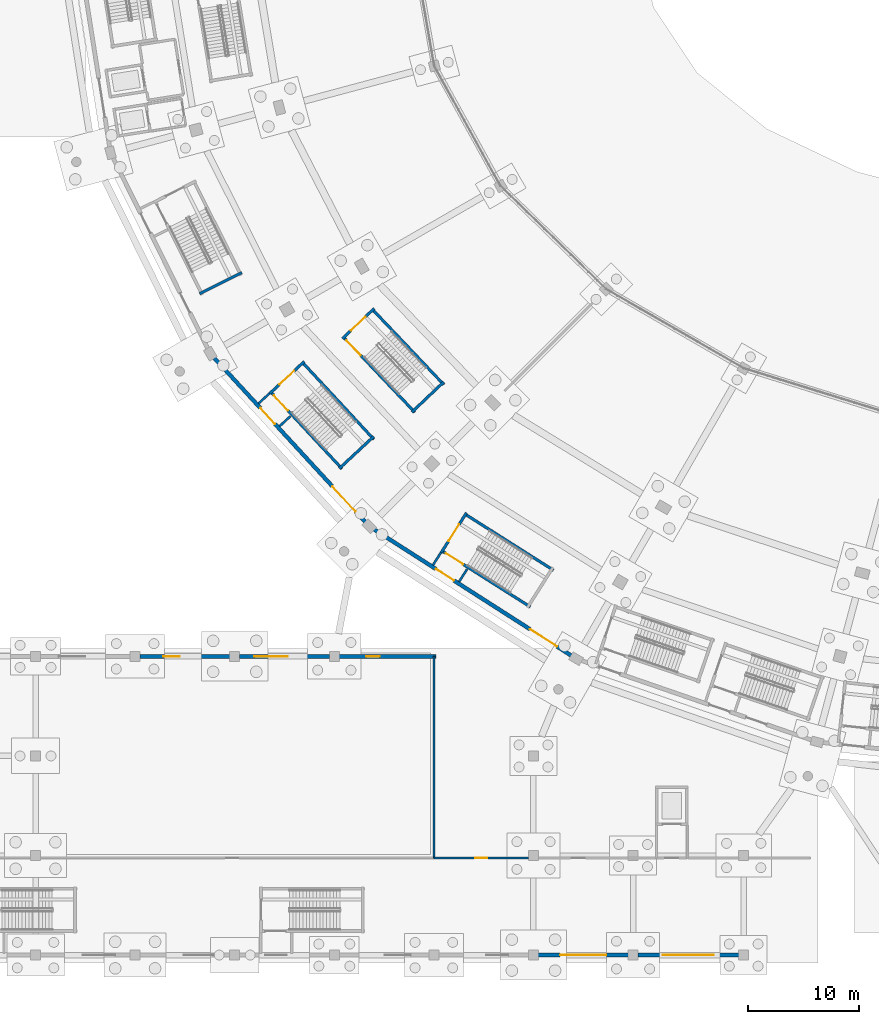
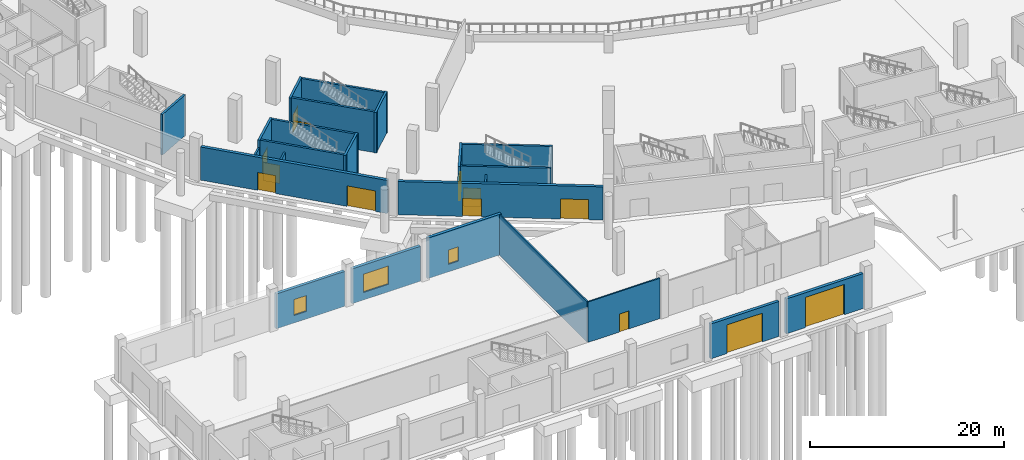
# One storey, part 31 of 103: 25 walls, 13 doors, 3 windows, 16 openings.
"""IFC4 building model written with IfcOpenShell, lengths in metres."""

import ifcopenshell
import ifcopenshell.guid

model = None  # the IFC model being written
_history = None  # IfcOwnerHistory: only IFC2X3 demands one
_inside = {}  # id of a spatial element -> (the spatial element, [elements in it])
_under = {}  # id of a project, library or spatial element -> (it, [spatial elements below it])
_declared = {}  # id of a project -> (the project, [libraries it declares])
_typed = {}  # id of a type object -> (the type object, [elements of that type])
_made_of = {}  # id of a material, layer set ... -> (it, [elements and type objects made of it])


def new_model(schema):
    """Start an empty IFC model of exactly this schema.

    Asked for "IFC4X3", IfcOpenShell would pick the latest addendum, in which some entities
    have other attributes; the version numbers below select the first issue.
    IFC2X3 requires an IfcOwnerHistory on every rooted entity: one is made here for all.
    """
    global model, _history
    if schema == "IFC4X3":
        model = ifcopenshell.file(schema_version=(4, 3, 0, 0))
    else:
        model = ifcopenshell.file(schema=schema)
    _inside.clear()
    _under.clear()
    _declared.clear()
    _typed.clear()
    _made_of.clear()
    _history = None
    if model.schema == "IFC2X3":
        org = make("IfcOrganization", Name="unknown")
        user = make(
            "IfcPersonAndOrganization",
            ThePerson=make("IfcPerson", FamilyName="unknown"),
            TheOrganization=org,
        )
        app = make(
            "IfcApplication",
            ApplicationDeveloper=org,
            Version="unknown",
            ApplicationFullName="unknown",
            ApplicationIdentifier="unknown",
        )
        _history = make(
            "IfcOwnerHistory",
            OwningUser=user,
            OwningApplication=app,
            ChangeAction="ADDED",
            CreationDate=0,
        )
    return model


def make(cls, **values):
    """One entity of the class cls with the attributes given. An attribute that is None is left unset."""
    return model.create_entity(
        cls, **{name: value for name, value in values.items() if value is not None}
    )


def rooted(cls, **values):
    """An entity with a GlobalId (a new one), such as an element, a storey or a relation."""
    return make(cls, GlobalId=ifcopenshell.guid.new(), OwnerHistory=_history, **values)


def si_unit(unit_type, name, prefix=None):
    """IfcSIUnit, for example si_unit("LENGTHUNIT", "METRE", prefix="MILLI")."""
    return make("IfcSIUnit", UnitType=unit_type, Prefix=prefix, Name=name)


def assignment(units):
    """IfcUnitAssignment: the units of a project."""
    return None if units is None else make("IfcUnitAssignment", Units=units)


def point(xyz):
    """IfcCartesianPoint."""
    return None if xyz is None else make("IfcCartesianPoint", Coordinates=xyz)


def direction(xyz):
    """IfcDirection."""
    return None if xyz is None else make("IfcDirection", DirectionRatios=xyz)


def frame(location, z_axis=None, x_axis=None):
    """IfcAxis2Placement3D, a coordinate frame: its origin and axes. An axis left out is left unset."""
    return make(
        "IfcAxis2Placement3D",
        Location=point(location),
        Axis=direction(z_axis),
        RefDirection=direction(x_axis),
    )


def frame_2d(location, x_axis=None):
    """IfcAxis2Placement2D, a coordinate frame in the plane: its origin and x axis."""
    return make(
        "IfcAxis2Placement2D", Location=point(location), RefDirection=direction(x_axis)
    )


def origin():
    """The frame at (0, 0, 0) with its axes left unset."""
    return frame((0.0, 0.0, 0.0))


def place(relative_to, where):
    """IfcLocalPlacement: puts the frame where relative to a parent placement (None: the world)."""
    return make(
        "IfcLocalPlacement", PlacementRelTo=relative_to, RelativePlacement=where
    )


def context(
    kind, dimensions, precision=None, world=None, true_north=None, identifier=None
):
    """IfcGeometricRepresentationContext, for example the 3D "Model" context."""
    return make(
        "IfcGeometricRepresentationContext",
        ContextIdentifier=identifier,
        ContextType=kind,
        CoordinateSpaceDimension=dimensions,
        Precision=precision,
        WorldCoordinateSystem=world,
        TrueNorth=true_north,
    )


def subcontext(parent, identifier, kind, view, scale=None):
    """IfcGeometricRepresentationSubContext, for example "Body" below "Model"."""
    return make(
        "IfcGeometricRepresentationSubContext",
        ContextIdentifier=identifier,
        ContextType=kind,
        ParentContext=parent,
        TargetScale=scale,
        TargetView=view,
    )


def project(units=None, contexts=None):
    """IfcProject with its units and contexts."""
    return rooted(
        "IfcProject",
        Name="project",
        RepresentationContexts=contexts,
        UnitsInContext=assignment(units),
    )


def spatial(cls, under=None, at=None, **own):
    """A site, building, storey or space (cls), placed at a placement, below another one or the project."""
    s = rooted(cls, ObjectPlacement=at, **own)
    if under is not None:
        _under.setdefault(under.id(), (under, []))[1].append(s)
    return s


def profile(cls, at=None, kind="AREA", **sizes):
    """A parametric profile (cls). Its sizes go by their IFC names, for example OverallWidth=200.0."""
    return make(cls, ProfileType=kind, Position=at, **sizes)


def rectangle(**sizes):
    """IfcRectangleProfileDef."""
    return profile("IfcRectangleProfileDef", **sizes)


def extrude(swept, where, along, depth):
    """IfcExtrudedAreaSolid: the profile swept, set in the frame where, extruded along a direction by depth."""
    return make(
        "IfcExtrudedAreaSolid",
        SweptArea=swept,
        Position=where,
        ExtrudedDirection=direction(along),
        Depth=depth,
    )


def shape(context_of_items, identifier, shape_type, items):
    """IfcShapeRepresentation: the items that make up one representation, for example the "Body"."""
    return make(
        "IfcShapeRepresentation",
        ContextOfItems=context_of_items,
        RepresentationIdentifier=identifier,
        RepresentationType=shape_type,
        Items=items,
    )


def material(Name=None, Category=None):
    """IfcMaterial."""
    return make("IfcMaterial", Name=Name, Category=Category)


def layer(
    of_material, thickness, ventilated=None, Name=None, Category=None, Priority=None
):
    """IfcMaterialLayer: one layer of a wall or slab, of a material (None: an air gap)."""
    return make(
        "IfcMaterialLayer",
        Material=of_material,
        LayerThickness=thickness,
        IsVentilated=ventilated,
        Name=Name,
        Category=Category,
        Priority=Priority,
    )


def layer_set(layers, Name=None):
    """IfcMaterialLayerSet."""
    return make("IfcMaterialLayerSet", MaterialLayers=layers, LayerSetName=Name)


def made_of(thing, what):
    """Note that an element or type object is made of a material, layer set ...; save() writes the relation."""
    if what is not None:
        _made_of.setdefault(what.id(), (what, []))[1].append(thing)
    return thing


def type_object(cls, material=None, **own):
    """A type object (cls), such as IfcWallType, which elements share."""
    return made_of(rooted(cls, **own), material)


def element(
    cls,
    number,
    at=None,
    inside=None,
    cuts=None,
    type_object=None,
    material=None,
    context=None,
    identifier="Body",
    shape_type=None,
    held_by="IfcProductDefinitionShape",
    body=None,
    shapes=None,
    **own,
):
    """One element of the class cls, such as IfcWall. Its Tag is "e" and its number.

    at: its placement. inside: the storey or other place that contains it. cuts: it is an
    opening in that element (IfcRelVoidsElement). A single representation is given by context,
    identifier, shape_type and body (its items); several are given by shapes. held_by: the class
    of the entity that holds the representations. save() writes the other relations.
    """
    e = rooted(cls, Tag="e%d" % number, ObjectPlacement=at, **own)
    if body is not None:
        shapes = [shape(context, identifier, shape_type, body)]
    if shapes is not None:
        e.Representation = make(held_by, Representations=shapes)
    if inside is not None:
        _inside.setdefault(inside.id(), (inside, []))[1].append(e)
    if cuts is not None:
        rooted(
            "IfcRelVoidsElement", RelatingBuildingElement=cuts, RelatedOpeningElement=e
        )
    if type_object is not None:
        _typed.setdefault(type_object.id(), (type_object, []))[1].append(e)
    return made_of(e, material)


def fill(opening, filler):
    """IfcRelFillsElement: the door or window that sits in an opening."""
    return rooted(
        "IfcRelFillsElement",
        RelatingOpeningElement=opening,
        RelatedBuildingElement=filler,
    )


def aggregate(whole, parts):
    """IfcRelAggregates: a whole, such as a stair, and the parts it consists of."""
    return rooted("IfcRelAggregates", RelatingObject=whole, RelatedObjects=parts)


def save(model, path):
    """Write the relations noted so far, then the file.

    IfcRelAggregates (storeys below a building ...), IfcRelContainedInSpatialStructure (elements
    in a storey), IfcRelDefinesByType, IfcRelAssociatesMaterial and IfcRelDeclares: one each for
    every whole, place, type object, material and project.
    """
    for whole, parts in _under.values():
        aggregate(whole, parts)
    for where, things in _inside.values():
        rooted(
            "IfcRelContainedInSpatialStructure",
            RelatedElements=things,
            RelatingStructure=where,
        )
    for kind, things in _typed.values():
        rooted("IfcRelDefinesByType", RelatedObjects=things, RelatingType=kind)
    for what, things in _made_of.values():
        rooted("IfcRelAssociatesMaterial", RelatedObjects=things, RelatingMaterial=what)
    for by, libraries in _declared.values():
        rooted("IfcRelDeclares", RelatingContext=by, RelatedDefinitions=libraries)
    model.write(path)


model = new_model("IFC4")

# Units and contexts
model_context = context("Model", 3, precision=1e-05, world=origin(), true_north=direction((0.0, 1.0)))
body_context = subcontext(model_context, "Body", "Model", "MODEL_VIEW")
ifc_project = project(units=[si_unit("LENGTHUNIT", "METRE"), si_unit("AREAUNIT", "SQUARE_METRE"), si_unit("VOLUMEUNIT", "CUBIC_METRE"), si_unit("PLANEANGLEUNIT", "RADIAN"), si_unit("MASSUNIT", "GRAM", prefix="KILO")], contexts=[model_context])

# Site, building, storey
site_placement = place(None, origin())
site = spatial("IfcSite", under=ifc_project, at=site_placement, CompositionType="ELEMENT")
building_placement = place(site_placement, origin())
building = spatial("IfcBuilding", under=site, at=building_placement, Name="Zevraka Park Crest Stadium", CompositionType="ELEMENT")
storey_placement = place(building_placement, origin())
storey = spatial("IfcBuildingStorey", under=building, at=storey_placement, Name="L00", CompositionType="ELEMENT", Elevation=0.0)

# Wall, openings, doors
ifc_material_1 = material(Name="Limestone and red clay brick masonry", Category="masonry")
ifc_layer_1 = layer(ifc_material_1, 0.35009765625)
ifc_layer_set_1 = layer_set([ifc_layer_1], Name="Limestone and red clay brick masonry")
wall_type_1 = type_object("IfcWallType", Name="EW01", PredefinedType="STANDARD", material=ifc_layer_set_1)
wall_1_placement = place(storey_placement, frame((47.7919921875, 39.14208984375, 0.0), z_axis=(0.0, 0.0, 1.0), x_axis=(-0.677106454921, 0.735885078462, 0.0)))
wall_1 = element("IfcWall", 1, at=wall_1_placement, inside=storey, type_object=wall_type_1, Name="L00 Pointed-Arch Colonnade Wall EW01 14", PredefinedType="STANDARD", context=body_context, shape_type="SweptSolid", body=[
    extrude(rectangle(XDim=20.128173828125, YDim=0.35009765625, at=frame_2d((10.06396484375, 0.0))), origin(), (0.0, 0.0, 1.0), 4.1650390625),
])
opening_1_placement = place(wall_1_placement, frame((12.033935546875, 0.0, 0.0)))
opening_1 = element("IfcOpeningElement", 2, at=opening_1_placement, cuts=wall_1, Name="Opening D-L00-EX-ST15", PredefinedType="OPENING", context=body_context, shape_type="SweptSolid", body=[
    extrude(rectangle(XDim=1.949951171875, YDim=2.25, at=frame_2d((0.97509765625, 1.125))), frame((0.0, 0.18505859375, 0.0), z_axis=(0.0, -1.0, 0.0), x_axis=(1.0, 0.0, 0.0)), (0.0, 0.0, 1.0), 0.3701171875),
])
opening_2_placement = place(wall_1_placement, frame((1.26806640625, 0.0, 0.0)))
opening_2 = element("IfcOpeningElement", 3, at=opening_2_placement, cuts=wall_1, Name="Opening D-L00-E15", PredefinedType="OPENING", context=body_context, shape_type="SweptSolid", body=[
    extrude(rectangle(XDim=3.10009765625, YDim=2.580078125, at=frame_2d((1.550048828125, 1.2900390625))), frame((0.0, 0.18505859375, 0.0), z_axis=(0.0, -1.0, 0.0), x_axis=(1.0, 0.0, 0.0)), (0.0, 0.0, 1.0), 0.3701171875),
])
ifc_material_2 = material(Name="Thermally broken architectural aluminium and safety glass", Category="aluminium")
door_type_1 = type_object("IfcDoorType", Name="ED05", OperationType="NOTDEFINED", PredefinedType="DOOR", material=ifc_material_2)
door_1_placement = place(opening_1_placement, origin())
door_1 = element("IfcDoor", 4, at=door_1_placement, inside=storey, type_object=door_type_1, Name="Stair Final Exit Discharge Door D-L00-EX-ST15", OperationType="DOUBLE_DOOR_SINGLE_SWING", OverallHeight=2.25, OverallWidth=1.949951171875, PredefinedType="DOOR", context=body_context, shape_type="SweptSolid", body=[
    extrude(rectangle(XDim=1.949951171875, YDim=2.25, at=frame_2d((0.97509765625, 1.125))), frame((0.0, 0.02490234375, 0.0), z_axis=(0.0, -1.0, 0.0), x_axis=(1.0, 0.0, 0.0)), (0.0, 0.0, 1.0), 0.050048828125),
])
fill(opening_1, door_1)
ifc_material_3 = material(Name="Thermally broken architectural aluminium and safety glass", Category="aluminium")
door_type_2 = type_object("IfcDoorType", Name="ED11", OperationType="NOTDEFINED", PredefinedType="DOOR", material=ifc_material_3)
door_2_placement = place(opening_2_placement, origin())
door_2 = element("IfcDoor", 5, at=door_2_placement, inside=storey, type_object=door_type_2, Name="Concourse Final Exit E15", OperationType="DOUBLE_DOOR_SINGLE_SWING", OverallHeight=2.580078125, OverallWidth=3.10009765625, PredefinedType="DOOR", context=body_context, shape_type="SweptSolid", body=[
    extrude(rectangle(XDim=3.10009765625, YDim=2.580078125, at=frame_2d((1.550048828125, 1.2900390625))), frame((0.0, 0.02490234375, 0.0), z_axis=(0.0, -1.0, 0.0), x_axis=(1.0, 0.0, 0.0)), (0.0, 0.0, 1.0), 0.050048828125),
])
fill(opening_2, door_2)

wall_2_placement = place(storey_placement, frame((66.406982421875, 27.071044921875, 0.0), z_axis=(0.0, 0.0, 1.0), x_axis=(-0.842308733224, 0.538995359845, 0.0)))
wall_2 = element("IfcWall", 6, at=wall_2_placement, inside=storey, type_object=wall_type_1, Name="L00 Pointed-Arch Colonnade Wall EW01 15", PredefinedType="STANDARD", context=body_context, shape_type="SweptSolid", body=[
    extrude(rectangle(XDim=21.139404296875, YDim=0.35009765625, at=frame_2d((10.56982421875, 0.0))), origin(), (0.0, 0.0, 1.0), 4.1650390625),
])
opening_3_placement = place(wall_2_placement, frame((12.555908203125, 0.0, 0.0)))
opening_3 = element("IfcOpeningElement", 7, at=opening_3_placement, cuts=wall_2, Name="Opening D-L00-EX-ST16", PredefinedType="OPENING", context=body_context, shape_type="SweptSolid", body=[
    extrude(rectangle(XDim=1.949951171875, YDim=2.25, at=frame_2d((0.97509765625, 1.125))), frame((0.0, 0.18505859375, 0.0), z_axis=(0.0, -1.0, 0.0), x_axis=(1.0, 0.0, 0.0)), (0.0, 0.0, 1.0), 0.3701171875),
])
opening_4_placement = place(wall_2_placement, frame((1.510009765625, 0.0, 0.0)))
opening_4 = element("IfcOpeningElement", 8, at=opening_4_placement, cuts=wall_2, Name="Opening D-L00-E16", PredefinedType="OPENING", context=body_context, shape_type="SweptSolid", body=[
    extrude(rectangle(XDim=2.89990234375, YDim=2.52001953125, at=frame_2d((1.449951171875, 1.260009765625))), frame((0.0, 0.18505859375, 0.0), z_axis=(0.0, -1.0, 0.0), x_axis=(1.0, 0.0, 0.0)), (0.0, 0.0, 1.0), 0.3701171875),
])
door_3_placement = place(opening_3_placement, origin())
door_3 = element("IfcDoor", 9, at=door_3_placement, inside=storey, type_object=door_type_1, Name="Stair Final Exit Discharge Door D-L00-EX-ST16", OperationType="DOUBLE_DOOR_SINGLE_SWING", OverallHeight=2.25, OverallWidth=1.949951171875, PredefinedType="DOOR", context=body_context, shape_type="SweptSolid", body=[
    extrude(rectangle(XDim=1.949951171875, YDim=2.25, at=frame_2d((0.97509765625, 1.125))), frame((0.0, 0.02490234375, 0.0), z_axis=(0.0, -1.0, 0.0), x_axis=(1.0, 0.0, 0.0)), (0.0, 0.0, 1.0), 0.050048828125),
])
fill(opening_3, door_3)
ifc_material_4 = material(Name="Thermally broken architectural aluminium and safety glass", Category="aluminium")
door_type_3 = type_object("IfcDoorType", Name="ED12", OperationType="NOTDEFINED", PredefinedType="DOOR", material=ifc_material_4)
door_4_placement = place(opening_4_placement, origin())
door_4 = element("IfcDoor", 10, at=door_4_placement, inside=storey, type_object=door_type_3, Name="Concourse Final Exit E16", OperationType="DOUBLE_DOOR_SINGLE_SWING", OverallHeight=2.52001953125, OverallWidth=2.89990234375, PredefinedType="DOOR", context=body_context, shape_type="SweptSolid", body=[
    extrude(rectangle(XDim=2.89990234375, YDim=2.52001953125, at=frame_2d((1.449951171875, 1.260009765625))), frame((0.0, 0.02490234375, 0.0), z_axis=(0.0, -1.0, 0.0), x_axis=(1.0, 0.0, 0.0)), (0.0, 0.0, 1.0), 0.050048828125),
])
fill(opening_4, door_4)

# Wall, opening, door
wall_3_placement = place(storey_placement, frame((81.574951171875, 0.0, 0.0), z_axis=(0.0, 0.0, 1.0), x_axis=(-1.0, 0.0, 0.0)))
wall_3 = element("IfcWall", 11, at=wall_3_placement, inside=storey, type_object=wall_type_1, Name="Wing External Cavity Wall EW01 L00-SW-S1-1", PredefinedType="STANDARD", context=body_context, shape_type="SweptSolid", body=[
    extrude(rectangle(XDim=9.14990234375, YDim=0.35009765625, at=frame_2d((4.574951171875, 0.0))), origin(), (0.0, 0.0, 1.0), 4.383544921875),
])
opening_5_placement = place(wall_3_placement, frame((2.27490234375, 0.0, 0.0)))
opening_5 = element("IfcOpeningElement", 12, at=opening_5_placement, cuts=wall_3, Name="Opening D-L00-RS01", PredefinedType="OPENING", context=body_context, shape_type="SweptSolid", body=[
    extrude(rectangle(XDim=4.60009765625, YDim=3.800048828125, at=frame_2d((2.300048828125, 1.89990234375))), frame((0.0, 0.18505859375, 0.0), z_axis=(0.0, -1.0, 0.0), x_axis=(1.0, 0.0, 0.0)), (0.0, 0.0, 1.0), 0.3701171875),
])
ifc_material_5 = material(Name="Insulated powder-coated steel roller shutter", Category="steel")
door_type_4 = type_object("IfcDoorType", Name="SH01", OperationType="NOTDEFINED", PredefinedType="DOOR", material=ifc_material_5)
door_5_placement = place(opening_5_placement, origin())
door_5 = element("IfcDoor", 13, at=door_5_placement, inside=storey, type_object=door_type_4, Name="Loading Bay Roller Shutter RS-01", OperationType="ROLLINGUP", OverallHeight=3.800048828125, OverallWidth=4.60009765625, PredefinedType="DOOR", context=body_context, shape_type="SweptSolid", body=[
    extrude(rectangle(XDim=4.60009765625, YDim=3.800048828125, at=frame_2d((2.300048828125, 1.89990234375))), frame((0.0, 0.02490234375, 0.0), z_axis=(0.0, -1.0, 0.0), x_axis=(1.0, 0.0, 0.0)), (0.0, 0.0, 1.0), 0.050048828125),
])
fill(opening_5, door_5)

wall_4_placement = place(storey_placement, frame((71.574951171875, 0.0, 0.0), z_axis=(0.0, 0.0, 1.0), x_axis=(-1.0, 0.0, 0.0)))
wall_4 = element("IfcWall", 14, at=wall_4_placement, inside=storey, type_object=wall_type_1, Name="Wing External Cavity Wall EW01 L00-SW-S1-2", PredefinedType="STANDARD", context=body_context, shape_type="SweptSolid", body=[
    extrude(rectangle(XDim=8.14990234375, YDim=0.35009765625, at=frame_2d((4.074951171875, 0.0))), origin(), (0.0, 0.0, 1.0), 4.383544921875),
])
opening_6_placement = place(wall_4_placement, frame((1.97509765625, 0.0, 0.0)))
opening_6 = element("IfcOpeningElement", 15, at=opening_6_placement, cuts=wall_4, Name="Opening D-L00-RS02", PredefinedType="OPENING", context=body_context, shape_type="SweptSolid", body=[
    extrude(rectangle(XDim=4.199951171875, YDim=3.60009765625, at=frame_2d((2.10009765625, 1.800048828125))), frame((0.0, 0.18505859375, 0.0), z_axis=(0.0, -1.0, 0.0), x_axis=(1.0, 0.0, 0.0)), (0.0, 0.0, 1.0), 0.3701171875),
])
ifc_material_6 = material(Name="Insulated powder-coated steel roller shutter", Category="steel")
door_type_5 = type_object("IfcDoorType", Name="SH02", OperationType="NOTDEFINED", PredefinedType="DOOR", material=ifc_material_6)
door_6_placement = place(opening_6_placement, origin())
door_6 = element("IfcDoor", 16, at=door_6_placement, inside=storey, type_object=door_type_5, Name="Loading Bay Roller Shutter RS-02", OperationType="ROLLINGUP", OverallHeight=3.60009765625, OverallWidth=4.199951171875, PredefinedType="DOOR", context=body_context, shape_type="SweptSolid", body=[
    extrude(rectangle(XDim=4.199951171875, YDim=3.60009765625, at=frame_2d((2.10009765625, 1.800048828125))), frame((0.0, 0.02490234375, 0.0), z_axis=(0.0, -1.0, 0.0), x_axis=(1.0, 0.0, 0.0)), (0.0, 0.0, 1.0), 0.050048828125),
])
fill(opening_6, door_6)

# Wall, opening, window
wall_5_placement = place(storey_placement, frame((27.425048828125, 27.0, 0.0), z_axis=(0.0, 0.0, 1.0), x_axis=(1.0, 0.0, 0.0)))
wall_5 = element("IfcWall", 17, at=wall_5_placement, inside=storey, type_object=wall_type_1, Name="Wing External Cavity Wall EW01 L00-SW-N-3", PredefinedType="STANDARD", context=body_context, shape_type="SweptSolid", body=[
    extrude(rectangle(XDim=8.14990234375, YDim=0.35009765625, at=frame_2d((4.074951171875, 0.0))), origin(), (0.0, 0.0, 1.0), 4.383544921875),
])
opening_7_placement = place(wall_5_placement, frame((2.10302734375, 0.0, 0.949951171875)))
opening_7 = element("IfcOpeningElement", 18, at=opening_7_placement, cuts=wall_5, Name="Opening WN03", PredefinedType="OPENING", context=body_context, shape_type="SweptSolid", body=[
    extrude(rectangle(XDim=1.5, YDim=2.0, at=frame_2d((0.75, 1.0))), frame((0.0, 0.18505859375, 0.0), z_axis=(0.0, -1.0, 0.0), x_axis=(1.0, 0.0, 0.0)), (0.0, 0.0, 1.0), 0.3701171875),
])
ifc_material_7 = material(Name="Solar-control laminated double glazing in aluminium frame", Category="aluminium")
window_type_1 = type_object("IfcWindowType", Name="WN03", PartitioningType="SINGLE_PANEL", PredefinedType="WINDOW", material=ifc_material_7)
window_1_placement = place(opening_7_placement, origin())
window_1 = element("IfcWindow", 19, at=window_1_placement, inside=storey, type_object=window_type_1, Name="Facade Casement Window WN03 W-L00-085", OverallHeight=2.0, OverallWidth=1.5, PartitioningType="SINGLE_PANEL", PredefinedType="WINDOW", context=body_context, shape_type="SweptSolid", body=[
    extrude(rectangle(XDim=1.5, YDim=2.0, at=frame_2d((0.75, 1.0))), frame((0.0, 0.030029296875, 0.0), z_axis=(0.0, -1.0, 0.0), x_axis=(1.0, 0.0, 0.0)), (0.0, 0.0, 1.0), 0.06005859375),
])
fill(opening_7, window_1)

wall_6_placement = place(storey_placement, frame((36.425048828125, 27.0, 0.0), z_axis=(0.0, 0.0, 1.0), x_axis=(1.0, 0.0, 0.0)))
wall_6 = element("IfcWall", 20, at=wall_6_placement, inside=storey, type_object=wall_type_1, Name="Wing External Cavity Wall EW01 L00-SW-N-4", PredefinedType="STANDARD", context=body_context, shape_type="SweptSolid", body=[
    extrude(rectangle(XDim=8.14990234375, YDim=0.35009765625, at=frame_2d((4.074951171875, 0.0))), origin(), (0.0, 0.0, 1.0), 4.383544921875),
])
opening_8_placement = place(wall_6_placement, frame((1.35302734375, 0.0, 0.949951171875)))
opening_8 = element("IfcOpeningElement", 21, at=opening_8_placement, cuts=wall_6, Name="Opening WN04", PredefinedType="OPENING", context=body_context, shape_type="SweptSolid", body=[
    extrude(rectangle(XDim=3.0, YDim=2.300048828125, at=frame_2d((1.5, 1.14990234375))), frame((0.0, 0.18505859375, 0.0), z_axis=(0.0, -1.0, 0.0), x_axis=(1.0, 0.0, 0.0)), (0.0, 0.0, 1.0), 0.3701171875),
])
ifc_material_8 = material(Name="Solar-control laminated double glazing in aluminium frame", Category="aluminium")
window_type_2 = type_object("IfcWindowType", Name="WN04", PartitioningType="SINGLE_PANEL", PredefinedType="WINDOW", material=ifc_material_8)
window_2_placement = place(opening_8_placement, origin())
window_2 = element("IfcWindow", 22, at=window_2_placement, inside=storey, type_object=window_type_2, Name="Facade Casement Window WN04 W-L00-086", OverallHeight=2.300048828125, OverallWidth=3.0, PartitioningType="SINGLE_PANEL", PredefinedType="WINDOW", context=body_context, shape_type="SweptSolid", body=[
    extrude(rectangle(XDim=3.0, YDim=2.300048828125, at=frame_2d((1.5, 1.14990234375))), frame((0.0, 0.030029296875, 0.0), z_axis=(0.0, -1.0, 0.0), x_axis=(1.0, 0.0, 0.0)), (0.0, 0.0, 1.0), 0.06005859375),
])
fill(opening_8, window_2)

wall_7_placement = place(storey_placement, frame((45.425048828125, 27.0, 0.0), z_axis=(0.0, 0.0, 1.0), x_axis=(1.0, 0.0, 0.0)))
wall_7 = element("IfcWall", 23, at=wall_7_placement, inside=storey, type_object=wall_type_1, Name="Wing External Cavity Wall EW01 L00-SW-N-5", PredefinedType="STANDARD", context=body_context, shape_type="SweptSolid", body=[
    extrude(rectangle(XDim=8.75, YDim=0.35009765625, at=frame_2d((4.375, 0.0))), origin(), (0.0, 0.0, 1.0), 5.10009765625),
])
opening_9_placement = place(wall_7_placement, frame((2.4619140625, 0.0, 0.949951171875)))
opening_9 = element("IfcOpeningElement", 24, at=opening_9_placement, cuts=wall_7, Name="Opening WN05", PredefinedType="OPENING", context=body_context, shape_type="SweptSolid", body=[
    extrude(rectangle(XDim=1.199951171875, YDim=1.800048828125, at=frame_2d((0.60009765625, 0.89990234375))), frame((0.0, 0.18505859375, 0.0), z_axis=(0.0, -1.0, 0.0), x_axis=(1.0, 0.0, 0.0)), (0.0, 0.0, 1.0), 0.3701171875),
])
ifc_material_9 = material(Name="Solar-control laminated double glazing in aluminium frame", Category="aluminium")
window_type_3 = type_object("IfcWindowType", Name="WN05", PartitioningType="SINGLE_PANEL", PredefinedType="WINDOW", material=ifc_material_9)
window_3_placement = place(opening_9_placement, origin())
window_3 = element("IfcWindow", 25, at=window_3_placement, inside=storey, type_object=window_type_3, Name="Facade Casement Window WN05 W-L00-087", OverallHeight=1.800048828125, OverallWidth=1.199951171875, PartitioningType="SINGLE_PANEL", PredefinedType="WINDOW", context=body_context, shape_type="SweptSolid", body=[
    extrude(rectangle(XDim=1.199951171875, YDim=1.800048828125, at=frame_2d((0.60009765625, 0.89990234375))), frame((0.0, 0.030029296875, 0.0), z_axis=(0.0, -1.0, 0.0), x_axis=(1.0, 0.0, 0.0)), (0.0, 0.0, 1.0), 0.06005859375),
])
fill(opening_9, window_3)

# Walls
ifc_material_10 = material(Name="Autoclaved aerated masonry blockwork", Category="masonry")
ifc_layer_2 = layer(ifc_material_10, 0.199951171875)
ifc_layer_set_2 = layer_set([ifc_layer_2], Name="Autoclaved aerated masonry blockwork")
wall_type_2 = type_object("IfcWallType", Name="IW01", PredefinedType="PARTITIONING", material=ifc_layer_set_2)
wall_8_placement = place(storey_placement, frame((39.1416015625, 50.763916015625, 0.0), z_axis=(0.0, 0.0, 1.0), x_axis=(-0.735725414691, -0.677279937823, 0.0)))
element("IfcWall", 26, at=wall_8_placement, inside=storey, type_object=wall_type_2, Name="Protected Exit Passageway Wall IW01 ST15-A", PredefinedType="PARTITIONING", context=body_context, shape_type="SweptSolid", body=[
    extrude(rectangle(XDim=1.349365234375, YDim=0.199951171875, at=frame_2d((0.6748046875, 0.0))), origin(), (0.0, 0.0, 1.0), 4.1650390625),
])
wall_9_placement = place(storey_placement, frame((41.04638671875, 48.711669921875, 0.0), z_axis=(0.0, 0.0, 1.0), x_axis=(-0.73582732187, -0.677169219907, 0.0)))
element("IfcWall", 27, at=wall_9_placement, inside=storey, type_object=wall_type_2, Name="Protected Exit Passageway Wall IW01 ST15-B", PredefinedType="PARTITIONING", context=body_context, shape_type="SweptSolid", body=[
    extrude(rectangle(XDim=1.361083984375, YDim=0.199951171875, at=frame_2d((0.6806640625, 0.0))), origin(), (0.0, 0.0, 1.0), 4.1650390625),
])
wall_10_placement = place(storey_placement, frame((54.643310546875, 36.38818359375, 0.0), z_axis=(0.0, 0.0, 1.0), x_axis=(-0.538638587753, -0.842536926066, 0.0)))
element("IfcWall", 28, at=wall_10_placement, inside=storey, type_object=wall_type_2, Name="Protected Exit Passageway Wall IW01 ST16-A", PredefinedType="PARTITIONING", context=body_context, shape_type="SweptSolid", body=[
    extrude(rectangle(XDim=1.35205078125, YDim=0.199951171875, at=frame_2d((0.676025390625, 0.0))), origin(), (0.0, 0.0, 1.0), 4.1650390625),
])
wall_11_placement = place(storey_placement, frame((57.0078125, 34.88818359375, 0.0), z_axis=(0.0, 0.0, 1.0), x_axis=(-0.539063860458, -0.842264895593, 0.0)))
element("IfcWall", 29, at=wall_11_placement, inside=storey, type_object=wall_type_2, Name="Protected Exit Passageway Wall IW01 ST16-B", PredefinedType="PARTITIONING", context=body_context, shape_type="SweptSolid", body=[
    extrude(rectangle(XDim=1.36328125, YDim=0.199951171875, at=frame_2d((0.681640625, 0.0))), origin(), (0.0, 0.0, 1.0), 4.1650390625),
])

# Wall, opening, door
ifc_material_11 = material(Name="Fire-rated twin-stud acoustic drywall", Category="other")
ifc_layer_3 = layer(ifc_material_11, 0.159912109375)
ifc_layer_set_3 = layer_set([ifc_layer_3], Name="Fire-rated twin-stud acoustic drywall")
wall_type_3 = type_object("IfcWallType", Name="IW02", PredefinedType="PARTITIONING", material=ifc_layer_set_3)
wall_12_placement = place(storey_placement, frame((54.0, 8.780029296875, 0.0), z_axis=(0.0, 0.0, 1.0), x_axis=(1.0, 0.0, 0.0)))
wall_12 = element("IfcWall", 30, at=wall_12_placement, inside=storey, type_object=wall_type_3, Name="Interior Partition IW02 Enclosed Broadcast Truck Loading Bay L00", PredefinedType="PARTITIONING", context=body_context, shape_type="SweptSolid", body=[
    extrude(rectangle(XDim=8.56494140625, YDim=0.159912109375, at=frame_2d((4.282470703125, 0.0))), origin(), (0.0, 0.0, 1.0), 5.080078125),
])
opening_10_placement = place(wall_12_placement, frame((3.721923828125, 0.0, 0.0)))
opening_10 = element("IfcOpeningElement", 31, at=opening_10_placement, cuts=wall_12, Name="Opening D-L00-367", PredefinedType="OPENING", context=body_context, shape_type="SweptSolid", body=[
    extrude(rectangle(XDim=1.1201171875, YDim=2.25, at=frame_2d((0.56005859375, 1.125))), frame((0.0, 0.08984375, 0.0), z_axis=(0.0, -1.0, 0.0), x_axis=(1.0, 0.0, 0.0)), (0.0, 0.0, 1.0), 0.179931640625),
])
ifc_material_12 = material(Name="Solid-core hardwood timber leaf in steel frame", Category="steel")
door_type_6 = type_object("IfcDoorType", Name="DR23", OperationType="NOTDEFINED", PredefinedType="DOOR", material=ifc_material_12)
door_7_placement = place(opening_10_placement, origin())
door_7 = element("IfcDoor", 32, at=door_7_placement, inside=storey, type_object=door_type_6, Name="Enclosed Broadcast Truck Loading Bay Door D-L00-367", OperationType="SINGLE_SWING_RIGHT", OverallHeight=2.25, OverallWidth=1.1201171875, PredefinedType="DOOR", context=body_context, shape_type="SweptSolid", body=[
    extrude(rectangle(XDim=1.1201171875, YDim=2.25, at=frame_2d((0.56005859375, 1.125))), frame((0.0, 0.02490234375, 0.0), z_axis=(0.0, -1.0, 0.0), x_axis=(1.0, 0.0, 0.0)), (0.0, 0.0, 1.0), 0.050048828125),
])
fill(opening_10, door_7)

# Walls
wall_13_placement = place(storey_placement, frame((54.0, 8.780029296875, 0.0), z_axis=(0.0, 0.0, 1.0), x_axis=(0.0, 1.0, 0.0)))
element("IfcWall", 33, at=wall_13_placement, inside=storey, type_object=wall_type_3, Name="Interior Partition IW02 Enclosed Broadcast Truck Loading Bay L00", PredefinedType="PARTITIONING", context=body_context, shape_type="SweptSolid", body=[
    extrude(rectangle(XDim=18.219970703125, YDim=0.159912109375, at=frame_2d((9.10986328125, 0.0))), origin(), (0.0, 0.0, 1.0), 5.080078125),
])
ifc_material_13 = material(Name="Concrete C40/50", Category="concrete")
ifc_layer_4 = layer(ifc_material_13, 0.25)
ifc_layer_set_4 = layer_set([ifc_layer_4], Name="Concrete C40/50")
wall_type_4 = type_object("IfcWallType", Name="SW01", PredefinedType="SHEAR", material=ifc_layer_set_4)
wall_14_placement = place(storey_placement, frame((32.828125, 59.776611328125, 0.0), z_axis=(0.0, 0.0, 1.0), x_axis=(0.89409454548, 0.447878268888, 0.0)))
element("IfcWall", 34, at=wall_14_placement, inside=storey, type_object=wall_type_4, Name="Stair Core Shear Wall SW01 ST14 L00 far", PredefinedType="SHEAR", context=body_context, shape_type="SweptSolid", body=[
    extrude(rectangle(XDim=4.260009765625, YDim=0.25, at=frame_2d((2.1298828125, 0.0))), origin(), (0.0, 0.0, 1.0), 5.10009765625),
])

# Wall, opening, door
wall_15_placement = place(storey_placement, frame((45.69482421875, 43.952880859375, 0.0), z_axis=(0.0, 0.0, 1.0), x_axis=(-0.680258890476, 0.732971924379, 0.0)))
wall_15 = element("IfcWall", 35, at=wall_15_placement, inside=storey, type_object=wall_type_4, Name="Stair Core Shear Wall SW01 ST15 L00 left", PredefinedType="SHEAR", context=body_context, shape_type="SweptSolid", body=[
    extrude(rectangle(XDim=9.550048828125, YDim=0.25, at=frame_2d((4.77490234375, 0.0))), origin(), (0.0, 0.0, 1.0), 5.10009765625),
])
opening_11_placement = place(wall_15_placement, frame((7.18994140625, 0.0, 0.0)))
opening_11 = element("IfcOpeningElement", 36, at=opening_11_placement, cuts=wall_15, Name="Opening D-L00-088", PredefinedType="OPENING", context=body_context, shape_type="SweptSolid", body=[
    extrude(rectangle(XDim=1.85009765625, YDim=2.300048828125, at=frame_2d((0.925048828125, 1.14990234375))), frame((0.0, 0.135009765625, 0.0), z_axis=(0.0, -1.0, 0.0), x_axis=(1.0, 0.0, 0.0)), (0.0, 0.0, 1.0), 0.27001953125),
])
ifc_material_14 = material(Name="Solid-core hardwood timber leaf in steel frame", Category="steel")
door_type_7 = type_object("IfcDoorType", Name="DR05", OperationType="NOTDEFINED", PredefinedType="DOOR", material=ifc_material_14)
door_8_placement = place(opening_11_placement, origin())
door_8 = element("IfcDoor", 37, at=door_8_placement, inside=storey, type_object=door_type_7, Name="Stair Exit Discharge Door ST15", OperationType="DOUBLE_DOOR_SINGLE_SWING", OverallHeight=2.300048828125, OverallWidth=1.85009765625, PredefinedType="DOOR", context=body_context, shape_type="SweptSolid", body=[
    extrude(rectangle(XDim=1.85009765625, YDim=2.300048828125, at=frame_2d((0.925048828125, 1.14990234375))), frame((0.0, 0.02490234375, 0.0), z_axis=(0.0, -1.0, 0.0), x_axis=(1.0, 0.0, 0.0)), (0.0, 0.0, 1.0), 0.050048828125),
])
fill(opening_11, door_8)

# Wall
wall_16_placement = place(storey_placement, frame((48.568115234375, 46.61962890625, 0.0), z_axis=(0.0, 0.0, 1.0), x_axis=(-0.680271637111, 0.732960094236, 0.0)))
element("IfcWall", 38, at=wall_16_placement, inside=storey, type_object=wall_type_4, Name="Stair Core Shear Wall SW01 ST15 L00 right", PredefinedType="SHEAR", context=body_context, shape_type="SweptSolid", body=[
    extrude(rectangle(XDim=9.550048828125, YDim=0.25, at=frame_2d((4.77490234375, 0.0))), origin(), (0.0, 0.0, 1.0), 5.10009765625),
])

# Wall, opening, door
wall_17_placement = place(storey_placement, frame((42.28125, 53.6435546875, 0.0), z_axis=(0.0, 0.0, 1.0), x_axis=(-0.732977166505, -0.680253242096, 0.0)))
wall_17 = element("IfcWall", 39, at=wall_17_placement, inside=storey, type_object=wall_type_4, Name="Stair Core Shear Wall SW01 ST15 L00 near", PredefinedType="SHEAR", context=body_context, shape_type="SweptSolid", body=[
    extrude(rectangle(XDim=4.260009765625, YDim=0.25, at=frame_2d((2.1298828125, 0.0))), origin(), (0.0, 0.0, 1.0), 5.10009765625),
])
opening_12_placement = place(wall_17_placement, frame((1.22998046875, 0.0, 0.0)))
opening_12 = element("IfcOpeningElement", 40, at=opening_12_placement, cuts=wall_17, Name="Opening D-L00-087", PredefinedType="OPENING", context=body_context, shape_type="SweptSolid", body=[
    extrude(rectangle(XDim=1.800048828125, YDim=2.25, at=frame_2d((0.89990234375, 1.125))), frame((0.0, 0.135009765625, 0.0), z_axis=(0.0, -1.0, 0.0), x_axis=(1.0, 0.0, 0.0)), (0.0, 0.0, 1.0), 0.27001953125),
])
ifc_material_15 = material(Name="Solid-core hardwood timber leaf in steel frame", Category="steel")
door_type_8 = type_object("IfcDoorType", Name="DR04", OperationType="NOTDEFINED", PredefinedType="DOOR", material=ifc_material_15)
door_9_placement = place(opening_12_placement, origin())
door_9 = element("IfcDoor", 41, at=door_9_placement, inside=storey, type_object=door_type_8, Name="Protected Stair Entry Door ST15 L00", OperationType="DOUBLE_DOOR_SINGLE_SWING", OverallHeight=2.25, OverallWidth=1.800048828125, PredefinedType="DOOR", context=body_context, shape_type="SweptSolid", body=[
    extrude(rectangle(XDim=1.800048828125, YDim=2.25, at=frame_2d((0.89990234375, 1.125))), frame((0.0, 0.02490234375, 0.0), z_axis=(0.0, -1.0, 0.0), x_axis=(1.0, 0.0, 0.0)), (0.0, 0.0, 1.0), 0.050048828125),
])
fill(opening_12, door_9)

# Wall
wall_18_placement = place(storey_placement, frame((45.4443359375, 43.972900390625, 0.0), z_axis=(0.0, 0.0, 1.0), x_axis=(0.73295064559, 0.680281817433, 0.0)))
element("IfcWall", 42, at=wall_18_placement, inside=storey, type_object=wall_type_4, Name="Stair Core Shear Wall SW01 ST15 L00 far", PredefinedType="SHEAR", context=body_context, shape_type="SweptSolid", body=[
    extrude(rectangle(XDim=4.260009765625, YDim=0.25, at=frame_2d((2.1298828125, 0.0))), origin(), (0.0, 0.0, 1.0), 5.10009765625),
])

# Wall, opening, door
wall_19_placement = place(storey_placement, frame((62.714111328125, 31.46923828125, 0.0), z_axis=(0.0, 0.0, 1.0), x_axis=(-0.844391246241, 0.535727004427, 0.0)))
wall_19 = element("IfcWall", 43, at=wall_19_placement, inside=storey, type_object=wall_type_4, Name="Stair Core Shear Wall SW01 ST16 L00 left", PredefinedType="SHEAR", context=body_context, shape_type="SweptSolid", body=[
    extrude(rectangle(XDim=9.550048828125, YDim=0.25, at=frame_2d((4.77490234375, 0.0))), origin(), (0.0, 0.0, 1.0), 5.10009765625),
])
opening_13_placement = place(wall_19_placement, frame((7.18994140625, 0.0, 0.0)))
opening_13 = element("IfcOpeningElement", 44, at=opening_13_placement, cuts=wall_19, Name="Opening D-L00-094", PredefinedType="OPENING", context=body_context, shape_type="SweptSolid", body=[
    extrude(rectangle(XDim=1.85009765625, YDim=2.300048828125, at=frame_2d((0.925048828125, 1.14990234375))), frame((0.0, 0.135009765625, 0.0), z_axis=(0.0, -1.0, 0.0), x_axis=(1.0, 0.0, 0.0)), (0.0, 0.0, 1.0), 0.27001953125),
])
door_10_placement = place(opening_13_placement, origin())
door_10 = element("IfcDoor", 45, at=door_10_placement, inside=storey, type_object=door_type_7, Name="Stair Exit Discharge Door ST16", OperationType="DOUBLE_DOOR_SINGLE_SWING", OverallHeight=2.300048828125, OverallWidth=1.85009765625, PredefinedType="DOOR", context=body_context, shape_type="SweptSolid", body=[
    extrude(rectangle(XDim=1.85009765625, YDim=2.300048828125, at=frame_2d((0.925048828125, 1.14990234375))), frame((0.0, 0.02490234375, 0.0), z_axis=(0.0, -1.0, 0.0), x_axis=(1.0, 0.0, 0.0)), (0.0, 0.0, 1.0), 0.050048828125),
])
fill(opening_13, door_10)

# Wall
wall_20_placement = place(storey_placement, frame((64.81396484375, 34.779296875, 0.0), z_axis=(0.0, 0.0, 1.0), x_axis=(-0.844391246241, 0.535727004427, 0.0)))
element("IfcWall", 46, at=wall_20_placement, inside=storey, type_object=wall_type_4, Name="Stair Core Shear Wall SW01 ST16 L00 right", PredefinedType="SHEAR", context=body_context, shape_type="SweptSolid", body=[
    extrude(rectangle(XDim=9.550048828125, YDim=0.25, at=frame_2d((4.77490234375, 0.0))), origin(), (0.0, 0.0, 1.0), 5.10009765625),
])

# Wall, opening, door
wall_21_placement = place(storey_placement, frame((56.94677734375, 39.971923828125, 0.0), z_axis=(0.0, 0.0, 1.0), x_axis=(-0.53572544074, -0.844392238325, 0.0)))
wall_21 = element("IfcWall", 47, at=wall_21_placement, inside=storey, type_object=wall_type_4, Name="Stair Core Shear Wall SW01 ST16 L00 near", PredefinedType="SHEAR", context=body_context, shape_type="SweptSolid", body=[
    extrude(rectangle(XDim=4.260009765625, YDim=0.25, at=frame_2d((2.1298828125, 0.0))), origin(), (0.0, 0.0, 1.0), 5.10009765625),
])
opening_14_placement = place(wall_21_placement, frame((1.22998046875, 0.0, 0.0)))
opening_14 = element("IfcOpeningElement", 48, at=opening_14_placement, cuts=wall_21, Name="Opening D-L00-093", PredefinedType="OPENING", context=body_context, shape_type="SweptSolid", body=[
    extrude(rectangle(XDim=1.800048828125, YDim=2.25, at=frame_2d((0.89990234375, 1.125))), frame((0.0, 0.135009765625, 0.0), z_axis=(0.0, -1.0, 0.0), x_axis=(1.0, 0.0, 0.0)), (0.0, 0.0, 1.0), 0.27001953125),
])
door_11_placement = place(opening_14_placement, origin())
door_11 = element("IfcDoor", 49, at=door_11_placement, inside=storey, type_object=door_type_8, Name="Protected Stair Entry Door ST16 L00", OperationType="DOUBLE_DOOR_SINGLE_SWING", OverallHeight=2.25, OverallWidth=1.800048828125, PredefinedType="DOOR", context=body_context, shape_type="SweptSolid", body=[
    extrude(rectangle(XDim=1.800048828125, YDim=2.25, at=frame_2d((0.89990234375, 1.125))), frame((0.0, 0.02490234375, 0.0), z_axis=(0.0, -1.0, 0.0), x_axis=(1.0, 0.0, 0.0)), (0.0, 0.0, 1.0), 0.050048828125),
])
fill(opening_14, door_11)

wall_22_placement = place(storey_placement, frame((52.2724609375, 49.061279296875, 0.0), z_axis=(0.0, 0.0, 1.0), x_axis=(-0.68832701945, 0.725400519916, 0.0)))
wall_22 = element("IfcWall", 50, at=wall_22_placement, inside=storey, type_object=wall_type_4, Name="Stair Core Shear Wall SW01 ST40 L00 left", PredefinedType="SHEAR", context=body_context, shape_type="SweptSolid", body=[
    extrude(rectangle(XDim=9.449951171875, YDim=0.25, at=frame_2d((4.72509765625, 0.0))), origin(), (0.0, 0.0, 1.0), 5.10009765625),
])
opening_15_placement = place(wall_22_placement, frame((7.090087890625, 0.0, 0.0)))
opening_15 = element("IfcOpeningElement", 51, at=opening_15_placement, cuts=wall_22, Name="Opening D-L00-214", PredefinedType="OPENING", context=body_context, shape_type="SweptSolid", body=[
    extrude(rectangle(XDim=1.85009765625, YDim=2.300048828125, at=frame_2d((0.925048828125, 1.14990234375))), frame((0.0, 0.135009765625, 0.0), z_axis=(0.0, -1.0, 0.0), x_axis=(1.0, 0.0, 0.0)), (0.0, 0.0, 1.0), 0.27001953125),
])
door_12_placement = place(opening_15_placement, origin())
door_12 = element("IfcDoor", 52, at=door_12_placement, inside=storey, type_object=door_type_7, Name="Stair Exit Discharge Door ST40", OperationType="DOUBLE_DOOR_SINGLE_SWING", OverallHeight=2.300048828125, OverallWidth=1.85009765625, PredefinedType="DOOR", context=body_context, shape_type="SweptSolid", body=[
    extrude(rectangle(XDim=1.85009765625, YDim=2.300048828125, at=frame_2d((0.925048828125, 1.14990234375))), frame((0.0, 0.02490234375, 0.0), z_axis=(0.0, -1.0, 0.0), x_axis=(1.0, 0.0, 0.0)), (0.0, 0.0, 1.0), 0.050048828125),
])
fill(opening_15, door_12)

# Wall
wall_23_placement = place(storey_placement, frame((54.8984375, 51.552978515625, 0.0), z_axis=(0.0, 0.0, 1.0), x_axis=(-0.68832701945, 0.725400519916, 0.0)))
element("IfcWall", 53, at=wall_23_placement, inside=storey, type_object=wall_type_4, Name="Stair Core Shear Wall SW01 ST40 L00 right", PredefinedType="SHEAR", context=body_context, shape_type="SweptSolid", body=[
    extrude(rectangle(XDim=9.449951171875, YDim=0.25, at=frame_2d((4.72509765625, 0.0))), origin(), (0.0, 0.0, 1.0), 5.10009765625),
])

# Wall, opening, door
wall_24_placement = place(storey_placement, frame((48.603271484375, 58.434326171875, 0.0), z_axis=(0.0, 0.0, 1.0), x_axis=(-0.725390288694, -0.688337801569, 0.0)))
wall_24 = element("IfcWall", 54, at=wall_24_placement, inside=storey, type_object=wall_type_4, Name="Stair Core Shear Wall SW01 ST40 L00 near", PredefinedType="SHEAR", context=body_context, shape_type="SweptSolid", body=[
    extrude(rectangle(XDim=3.9599609375, YDim=0.25, at=frame_2d((1.97998046875, 0.0))), origin(), (0.0, 0.0, 1.0), 5.10009765625),
])
opening_16_placement = place(wall_24_placement, frame((1.080078125, 0.0, 0.0)))
opening_16 = element("IfcOpeningElement", 55, at=opening_16_placement, cuts=wall_24, Name="Opening D-L00-213", PredefinedType="OPENING", context=body_context, shape_type="SweptSolid", body=[
    extrude(rectangle(XDim=1.800048828125, YDim=2.25, at=frame_2d((0.89990234375, 1.125))), frame((0.0, 0.135009765625, 0.0), z_axis=(0.0, -1.0, 0.0), x_axis=(1.0, 0.0, 0.0)), (0.0, 0.0, 1.0), 0.27001953125),
])
door_13_placement = place(opening_16_placement, origin())
door_13 = element("IfcDoor", 56, at=door_13_placement, inside=storey, type_object=door_type_8, Name="Protected Stair Entry Door ST40 L00", OperationType="DOUBLE_DOOR_SINGLE_SWING", OverallHeight=2.25, OverallWidth=1.800048828125, PredefinedType="DOOR", context=body_context, shape_type="SweptSolid", body=[
    extrude(rectangle(XDim=1.800048828125, YDim=2.25, at=frame_2d((0.89990234375, 1.125))), frame((0.0, 0.02490234375, 0.0), z_axis=(0.0, -1.0, 0.0), x_axis=(1.0, 0.0, 0.0)), (0.0, 0.0, 1.0), 0.050048828125),
])
fill(opening_16, door_13)

# Wall
wall_25_placement = place(storey_placement, frame((52.02197265625, 49.078369140625, 0.0), z_axis=(0.0, 0.0, 1.0), x_axis=(0.725390288694, 0.688337801569, 0.0)))
element("IfcWall", 57, at=wall_25_placement, inside=storey, type_object=wall_type_4, Name="Stair Core Shear Wall SW01 ST40 L00 far", PredefinedType="SHEAR", context=body_context, shape_type="SweptSolid", body=[
    extrude(rectangle(XDim=3.9599609375, YDim=0.25, at=frame_2d((1.97998046875, 0.0))), origin(), (0.0, 0.0, 1.0), 5.10009765625),
])

save(model, "model.ifc")
